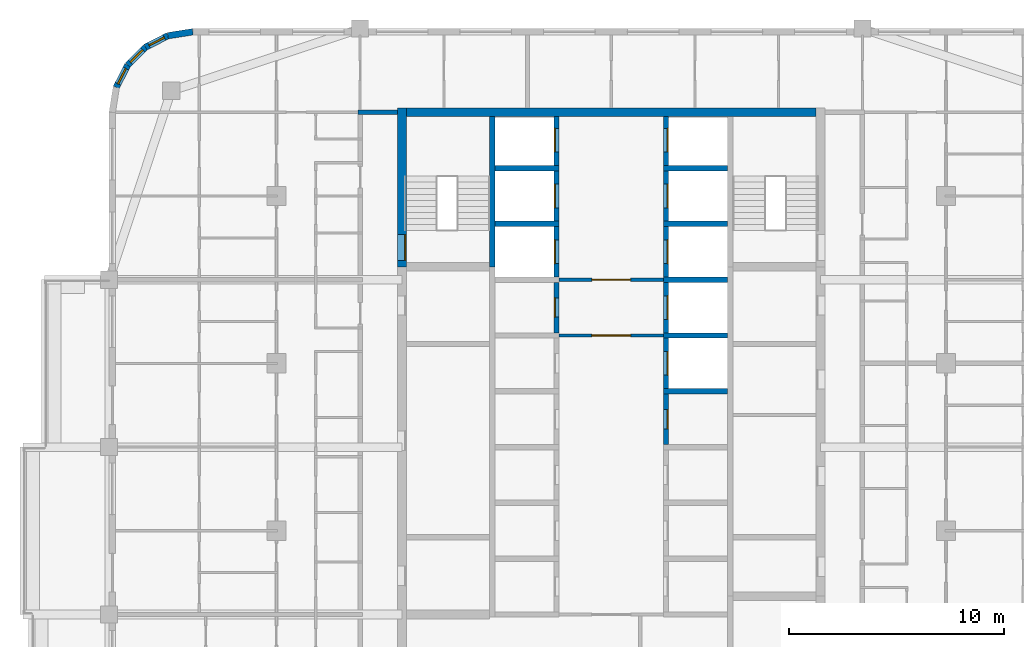
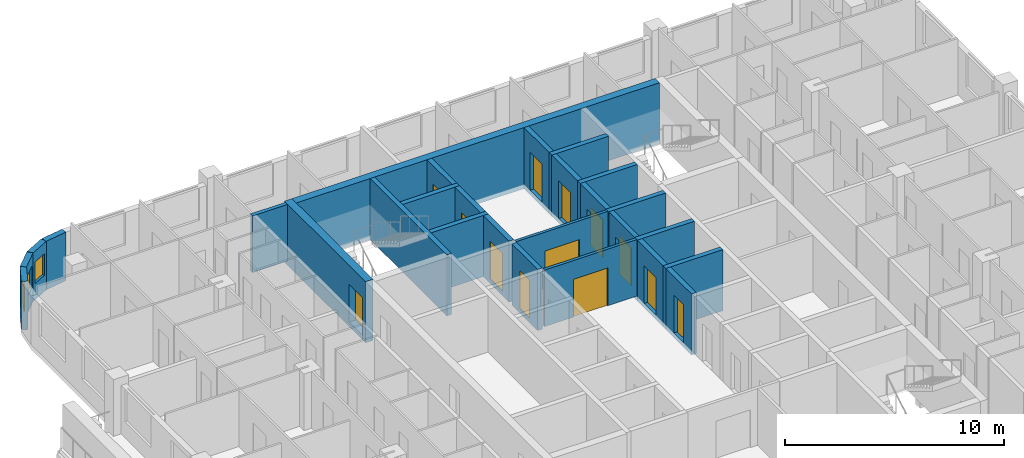
# One storey, part 9 of 16: 27 walls, 13 doors, 3 windows, 16 openings.
"""IFC4 building model written with IfcOpenShell, lengths in metres."""

from ifc_helpers import new_model, si_unit, direction, frame, frame_2d, origin, place, context, subcontext, project, spatial, rectangle, extrude, material, layer, layer_set, type_object, element, fill, save


model = new_model("IFC4")

# Units and contexts
model_context = context("Model", 3, precision=1e-05, world=origin(), true_north=direction((0.0, 1.0)))
body_context = subcontext(model_context, "Body", "Model", "MODEL_VIEW")
ifc_project = project(units=[si_unit("LENGTHUNIT", "METRE"), si_unit("AREAUNIT", "SQUARE_METRE"), si_unit("VOLUMEUNIT", "CUBIC_METRE"), si_unit("PLANEANGLEUNIT", "RADIAN"), si_unit("MASSUNIT", "GRAM", prefix="KILO")], contexts=[model_context])

# Site, building, storey
site_placement = place(None, origin())
site = spatial("IfcSite", under=ifc_project, at=site_placement, CompositionType="ELEMENT")
building_placement = place(site_placement, origin())
building = spatial("IfcBuilding", under=site, at=building_placement, Name="Ludao Terraces", CompositionType="ELEMENT")
storey_placement = place(building_placement, frame((0.0, 0.0, 204.10009765625)))
storey = spatial("IfcBuildingStorey", under=building, at=storey_placement, Name="L55", CompositionType="ELEMENT", Elevation=204.10009765625)

# Wall, opening, door
ifc_material_1 = material(Name="Concrete C50", Category="concrete")
ifc_layer_1 = layer(ifc_material_1, 0.39990234375)
ifc_layer_set_1 = layer_set([ifc_layer_1], Name="Core wall 400 C50")
wall_type_1 = type_object("IfcWallType", Name="Core wall 400 C50", PredefinedType="SOLIDWALL", material=ifc_layer_set_1)
wall_1_placement = place(storey_placement, frame((75.25, 77.300048828125, -0.25), z_axis=(0.0, 0.0, 1.0), x_axis=(0.0, 1.0, 0.0)))
wall_1 = element("IfcWall", 1, at=wall_1_placement, inside=storey, type_object=wall_type_1, Name="Core wall L55 outer-W-S1", PredefinedType="SOLIDWALL", context=body_context, shape_type="SweptSolid", body=[
    extrude(rectangle(XDim=7.39990234375, YDim=0.39990234375, at=frame_2d((3.699951171875, 0.0))), origin(), (0.0, 0.0, 1.0), 3.39990234375),
])
opening_1_placement = place(wall_1_placement, frame((0.300048828125, 0.0, 0.25)))
opening_1 = element("IfcOpeningElement", 2, at=opening_1_placement, cuts=wall_1, Name="Opening R20-109", PredefinedType="OPENING", context=body_context, shape_type="SweptSolid", body=[
    extrude(rectangle(XDim=1.199951171875, YDim=2.10009765625, at=frame_2d((0.60009765625, 1.050048828125))), frame((0.0, 0.2099609375, 0.0), z_axis=(0.0, -1.0, 0.0), x_axis=(1.0, 0.0, 0.0)), (0.0, 0.0, 1.0), 0.419921875),
])
ifc_material_2 = material(Name="Steel Q235", Category="steel")
door_type_1 = type_object("IfcDoorType", Name="INT Stair door 1200", OperationType="DOUBLE_DOOR_SINGLE_SWING", PredefinedType="DOOR", material=ifc_material_2)
door_1_placement = place(opening_1_placement, origin())
door_1 = element("IfcDoor", 3, at=door_1_placement, inside=storey, type_object=door_type_1, Name="DOOR 109", OperationType="DOUBLE_DOOR_SINGLE_SWING", OverallHeight=2.10009765625, OverallWidth=1.199951171875, PredefinedType="DOOR", context=body_context, shape_type="SweptSolid", body=[
    extrude(rectangle(XDim=1.199951171875, YDim=2.10009765625, at=frame_2d((0.60009765625, 1.050048828125))), frame((0.0, -0.134765625, 0.0), z_axis=(0.0, -1.0, 0.0), x_axis=(1.0, 0.0, 0.0)), (0.0, 0.0, 1.0), 0.050048828125),
])
fill(opening_1, door_1)

# Walls
wall_2_placement = place(storey_placement, frame((75.449951171875, 84.5, -0.25), z_axis=(0.0, 0.0, 1.0), x_axis=(1.0, 0.0, 0.0)))
element("IfcWall", 4, at=wall_2_placement, inside=storey, type_object=wall_type_1, Name="Core wall L55 outer-N", PredefinedType="SOLIDWALL", context=body_context, shape_type="SweptSolid", body=[
    extrude(rectangle(XDim=19.10009765625, YDim=0.39990234375, at=frame_2d((9.550048828125, 0.0))), origin(), (0.0, 0.0, 1.0), 3.39990234375),
])
ifc_material_3 = material(Name="Granite cladding", Category="masonry")
ifc_layer_2 = layer(ifc_material_3, 0.0400390625, Category="stone")
ifc_material_4 = material(Name="Mineral wool")
ifc_layer_3 = layer(ifc_material_4, 0.06005859375)
ifc_material_5 = material(Name="Concrete C40", Category="concrete")
ifc_layer_4 = layer(ifc_material_5, 0.199951171875, Category="concrete")
ifc_layer_set_2 = layer_set([ifc_layer_2, ifc_layer_3, ifc_layer_4], Name="ENV Stone-clad wall 300")
wall_type_2 = type_object("IfcWallType", Name="ENV Stone-clad wall 300", PredefinedType="SOLIDWALL", material=ifc_layer_set_2)
wall_3_placement = place(storey_placement, frame((65.5, 88.25, 0.0), z_axis=(0.0, 0.0, 1.0), x_axis=(-0.987678452879, -0.156496880861, 0.0)))
element("IfcWall", 5, at=wall_3_placement, inside=storey, type_object=wall_type_2, Name="EW-L55-NW1", PredefinedType="SOLIDWALL", context=body_context, shape_type="SweptSolid", body=[
    extrude(rectangle(XDim=1.173095703125, YDim=0.300048828125, at=frame_2d((0.58642578125, 0.0))), origin(), (0.0, 0.0, 1.0), 2.699951171875),
])

# Wall, opening, window
wall_4_placement = place(storey_placement, frame((64.34130859375, 88.06640625, 0.0), z_axis=(0.0, 0.0, 1.0), x_axis=(-0.890988677504, -0.454025524128, 0.0)))
wall_4 = element("IfcWall", 6, at=wall_4_placement, inside=storey, type_object=wall_type_2, Name="EW-L55-NW2", PredefinedType="SOLIDWALL", context=body_context, shape_type="SweptSolid", body=[
    extrude(rectangle(XDim=1.17333984375, YDim=0.300048828125, at=frame_2d((0.586669921875, 0.0))), origin(), (0.0, 0.0, 1.0), 2.699951171875),
])
opening_2_placement = place(wall_4_placement, frame((0.1865234375, 0.0, 0.89990234375)))
opening_2 = element("IfcOpeningElement", 7, at=opening_2_placement, cuts=wall_4, Name="Opening W3", PredefinedType="OPENING", context=body_context, shape_type="SweptSolid", body=[
    extrude(rectangle(XDim=0.800048828125, YDim=1.199951171875, at=frame_2d((0.39990234375, 0.60009765625))), frame((0.0, 0.16015625, 0.0), z_axis=(0.0, -1.0, 0.0), x_axis=(1.0, 0.0, 0.0)), (0.0, 0.0, 1.0), 0.320068359375),
])
ifc_material_6 = material(Name="Clear glass in aluminium frame", Category="aluminium")
ifc_layer_5 = layer(ifc_material_6, 0.06005859375)
ifc_layer_set_3 = layer_set([ifc_layer_5], Name="ENV Window W3 800x1200")
window_type = type_object("IfcWindowType", Name="ENV Window W3 800x1200", PartitioningType="SINGLE_PANEL", PredefinedType="WINDOW", material=ifc_layer_set_3)
window_1_placement = place(opening_2_placement, origin())
window_1 = element("IfcWindow", 8, at=window_1_placement, inside=storey, type_object=window_type, Name="W-L55-NW2", OverallHeight=1.199951171875, OverallWidth=0.800048828125, PartitioningType="SINGLE_PANEL", PredefinedType="WINDOW", context=body_context, shape_type="SweptSolid", body=[
    extrude(rectangle(XDim=0.800048828125, YDim=1.199951171875, at=frame_2d((0.39990234375, 0.60009765625))), frame((0.0, 0.030029296875, 0.0), z_axis=(0.0, -1.0, 0.0), x_axis=(1.0, 0.0, 0.0)), (0.0, 0.0, 1.0), 0.06005859375),
])
fill(opening_2, window_1)

wall_5_placement = place(storey_placement, frame((63.2958984375, 87.53369140625, 0.0), z_axis=(0.0, 0.0, 1.0), x_axis=(-0.707106781187, -0.707106781187, 0.0)))
wall_5 = element("IfcWall", 9, at=wall_5_placement, inside=storey, type_object=wall_type_2, Name="EW-L55-NW3", PredefinedType="SOLIDWALL", context=body_context, shape_type="SweptSolid", body=[
    extrude(rectangle(XDim=1.173095703125, YDim=0.300048828125, at=frame_2d((0.58642578125, 0.0))), origin(), (0.0, 0.0, 1.0), 2.699951171875),
])
opening_3_placement = place(wall_5_placement, frame((0.1865234375, 0.0, 0.89990234375)))
opening_3 = element("IfcOpeningElement", 10, at=opening_3_placement, cuts=wall_5, Name="Opening W3", PredefinedType="OPENING", context=body_context, shape_type="SweptSolid", body=[
    extrude(rectangle(XDim=0.800048828125, YDim=1.199951171875, at=frame_2d((0.39990234375, 0.60009765625))), frame((0.0, 0.16015625, 0.0), z_axis=(0.0, -1.0, 0.0), x_axis=(1.0, 0.0, 0.0)), (0.0, 0.0, 1.0), 0.320068359375),
])
window_2_placement = place(opening_3_placement, origin())
window_2 = element("IfcWindow", 11, at=window_2_placement, inside=storey, type_object=window_type, Name="W-L55-NW3", OverallHeight=1.199951171875, OverallWidth=0.800048828125, PartitioningType="SINGLE_PANEL", PredefinedType="WINDOW", context=body_context, shape_type="SweptSolid", body=[
    extrude(rectangle(XDim=0.800048828125, YDim=1.199951171875, at=frame_2d((0.39990234375, 0.60009765625))), frame((0.0, 0.030029296875, 0.0), z_axis=(0.0, -1.0, 0.0), x_axis=(1.0, 0.0, 0.0)), (0.0, 0.0, 1.0), 0.06005859375),
])
fill(opening_3, window_2)

wall_6_placement = place(storey_placement, frame((62.46630859375, 86.7041015625, 0.0), z_axis=(0.0, 0.0, 1.0), x_axis=(-0.454025524128, -0.890988677504, 0.0)))
wall_6 = element("IfcWall", 12, at=wall_6_placement, inside=storey, type_object=wall_type_2, Name="EW-L55-NW4", PredefinedType="SOLIDWALL", context=body_context, shape_type="SweptSolid", body=[
    extrude(rectangle(XDim=1.17333984375, YDim=0.300048828125, at=frame_2d((0.586669921875, 0.0))), origin(), (0.0, 0.0, 1.0), 2.699951171875),
])
opening_4_placement = place(wall_6_placement, frame((0.1865234375, 0.0, 0.89990234375)))
opening_4 = element("IfcOpeningElement", 13, at=opening_4_placement, cuts=wall_6, Name="Opening W3", PredefinedType="OPENING", context=body_context, shape_type="SweptSolid", body=[
    extrude(rectangle(XDim=0.800048828125, YDim=1.199951171875, at=frame_2d((0.39990234375, 0.60009765625))), frame((0.0, 0.16015625, 0.0), z_axis=(0.0, -1.0, 0.0), x_axis=(1.0, 0.0, 0.0)), (0.0, 0.0, 1.0), 0.320068359375),
])
window_3_placement = place(opening_4_placement, origin())
window_3 = element("IfcWindow", 14, at=window_3_placement, inside=storey, type_object=window_type, Name="W-L55-NW4", OverallHeight=1.199951171875, OverallWidth=0.800048828125, PartitioningType="SINGLE_PANEL", PredefinedType="WINDOW", context=body_context, shape_type="SweptSolid", body=[
    extrude(rectangle(XDim=0.800048828125, YDim=1.199951171875, at=frame_2d((0.39990234375, 0.60009765625))), frame((0.0, 0.030029296875, 0.0), z_axis=(0.0, -1.0, 0.0), x_axis=(1.0, 0.0, 0.0)), (0.0, 0.0, 1.0), 0.06005859375),
])
fill(opening_4, window_3)

# Wall, opening, door
ifc_material_7 = material(Name="Fire-rated gypsum plasterboard", Category="gypsum")
ifc_layer_6 = layer(ifc_material_7, 0.012451171875, Category="gypsum")
ifc_layer_7 = layer(ifc_material_4, 0.10009765625, Name="insulation")
ifc_layer_8 = layer(ifc_material_2, 0.02490234375, Name="stud")
ifc_layer_9 = layer(ifc_material_7, 0.012451171875, Category="gypsum")
ifc_layer_set_4 = layer_set([ifc_layer_6, ifc_layer_7, ifc_layer_8, ifc_layer_9], Name="INT Core partition 150")
wall_type_3 = type_object("IfcWallType", Name="INT Core partition 150", PredefinedType="PARTITIONING", material=ifc_layer_set_4)
wall_7_placement = place(storey_placement, frame((82.5751953125, 74.10009765625, 0.0), z_axis=(0.0, 0.0, 1.0), x_axis=(1.0, 0.0, 0.0)))
wall_7 = element("IfcWall", 15, at=wall_7_placement, inside=storey, type_object=wall_type_3, Name="PW-L55-PW047", PredefinedType="PARTITIONING", context=body_context, shape_type="SweptSolid", body=[
    extrude(rectangle(XDim=4.849853515625, YDim=0.14990234375, at=frame_2d((2.4248046875, 0.0))), origin(), (0.0, 0.0, 1.0), 3.14990234375),
])
opening_5_placement = place(wall_7_placement, frame((1.52490234375, 0.0, 0.0)))
opening_5 = element("IfcOpeningElement", 16, at=opening_5_placement, cuts=wall_7, Name="Opening R20-091", PredefinedType="OPENING", context=body_context, shape_type="SweptSolid", body=[
    extrude(rectangle(XDim=1.800048828125, YDim=2.10009765625, at=frame_2d((0.89990234375, 1.050048828125))), frame((0.0, 0.0849609375, 0.0), z_axis=(0.0, -1.0, 0.0), x_axis=(1.0, 0.0, 0.0)), (0.0, 0.0, 1.0), 0.169921875),
])
door_type_2 = type_object("IfcDoorType", Name="INT Fire lobby door 1800", OperationType="DOUBLE_DOOR_SINGLE_SWING", PredefinedType="DOOR", material=ifc_material_2)
door_2_placement = place(opening_5_placement, origin())
door_2 = element("IfcDoor", 17, at=door_2_placement, inside=storey, type_object=door_type_2, Name="DOOR 091", OperationType="DOUBLE_DOOR_SINGLE_SWING", OverallHeight=2.10009765625, OverallWidth=1.800048828125, PredefinedType="DOOR", context=body_context, shape_type="SweptSolid", body=[
    extrude(rectangle(XDim=1.800048828125, YDim=2.10009765625, at=frame_2d((0.89990234375, 1.050048828125))), frame((0.0, 0.02490234375, 0.0), z_axis=(0.0, -1.0, 0.0), x_axis=(1.0, 0.0, 0.0)), (0.0, 0.0, 1.0), 0.050048828125),
])
fill(opening_5, door_2)

wall_8_placement = place(storey_placement, frame((82.5751953125, 76.699951171875, 0.0), z_axis=(0.0, 0.0, 1.0), x_axis=(1.0, 0.0, 0.0)))
wall_8 = element("IfcWall", 18, at=wall_8_placement, inside=storey, type_object=wall_type_3, Name="PW-L55-PW053", PredefinedType="PARTITIONING", context=body_context, shape_type="SweptSolid", body=[
    extrude(rectangle(XDim=4.849853515625, YDim=0.14990234375, at=frame_2d((2.4248046875, 0.0))), origin(), (0.0, 0.0, 1.0), 3.14990234375),
])
opening_6_placement = place(wall_8_placement, frame((1.52490234375, 0.0, 0.0)))
opening_6 = element("IfcOpeningElement", 19, at=opening_6_placement, cuts=wall_8, Name="Opening R20-104", PredefinedType="OPENING", context=body_context, shape_type="SweptSolid", body=[
    extrude(rectangle(XDim=1.800048828125, YDim=2.10009765625, at=frame_2d((0.89990234375, 1.050048828125))), frame((0.0, 0.0849609375, 0.0), z_axis=(0.0, -1.0, 0.0), x_axis=(1.0, 0.0, 0.0)), (0.0, 0.0, 1.0), 0.169921875),
])
door_3_placement = place(opening_6_placement, origin())
door_3 = element("IfcDoor", 20, at=door_3_placement, inside=storey, type_object=door_type_2, Name="DOOR 104", OperationType="DOUBLE_DOOR_SINGLE_SWING", OverallHeight=2.10009765625, OverallWidth=1.800048828125, PredefinedType="DOOR", context=body_context, shape_type="SweptSolid", body=[
    extrude(rectangle(XDim=1.800048828125, YDim=2.10009765625, at=frame_2d((0.89990234375, 1.050048828125))), frame((0.0, 0.02490234375, 0.0), z_axis=(0.0, -1.0, 0.0), x_axis=(1.0, 0.0, 0.0)), (0.0, 0.0, 1.0), 0.050048828125),
])
fill(opening_6, door_3)

# Walls
ifc_material_8 = material(Name="Autoclaved aerated concrete block B06 A3.5", Category="concrete")
ifc_layer_10 = layer(ifc_material_8, 0.199951171875)
ifc_layer_set_5 = layer_set([ifc_layer_10], Name="INT Entrance wall 200")
wall_type_4 = type_object("IfcWallType", Name="INT Entrance wall 200", PredefinedType="PARTITIONING", material=ifc_layer_set_5)
wall_9_placement = place(storey_placement, frame((73.2001953125, 84.5, 0.0), z_axis=(0.0, 0.0, 1.0), x_axis=(1.0, 0.0, 0.0)))
element("IfcWall", 21, at=wall_9_placement, inside=storey, type_object=wall_type_4, Name="PW-L55-PW067", PredefinedType="PARTITIONING", context=body_context, shape_type="SweptSolid", body=[
    extrude(rectangle(XDim=1.849853515625, YDim=0.199951171875, at=frame_2d((0.9248046875, 0.0))), origin(), (0.0, 0.0, 1.0), 3.14990234375),
])
ifc_layer_11 = layer(ifc_material_1, 0.25)
ifc_layer_set_6 = layer_set([ifc_layer_11], Name="Shaft wall 250 C50")
wall_type_5 = type_object("IfcWallType", Name="Shaft wall 250 C50", PredefinedType="SOLIDWALL", material=ifc_layer_set_6)
wall_10_placement = place(storey_placement, frame((79.449951171875, 77.300048828125, -0.25), z_axis=(0.0, 0.0, 1.0), x_axis=(0.0, 1.0, 0.0)))
element("IfcWall", 22, at=wall_10_placement, inside=storey, type_object=wall_type_5, Name="Core wall L55 back-W-S1", PredefinedType="SOLIDWALL", context=body_context, shape_type="SweptSolid", body=[
    extrude(rectangle(XDim=7.0, YDim=0.25, at=frame_2d((3.5, 0.0))), origin(), (0.0, 0.0, 1.0), 3.39990234375),
])

# Wall, opening, door
wall_11_placement = place(storey_placement, frame((82.449951171875, 74.22509765625, -0.25), z_axis=(0.0, 0.0, 1.0), x_axis=(0.0, 1.0, 0.0)))
wall_11 = element("IfcWall", 23, at=wall_11_placement, inside=storey, type_object=wall_type_5, Name="Core wall L55 front-W6", PredefinedType="SOLIDWALL", context=body_context, shape_type="SweptSolid", body=[
    extrude(rectangle(XDim=2.349853515625, YDim=0.25, at=frame_2d((1.1748046875, 0.0))), origin(), (0.0, 0.0, 1.0), 3.39990234375),
])
opening_7_placement = place(wall_11_placement, frame((0.72509765625, 0.0, 0.25)))
opening_7 = element("IfcOpeningElement", 24, at=opening_7_placement, cuts=wall_11, Name="Opening R20-094", PredefinedType="OPENING", context=body_context, shape_type="SweptSolid", body=[
    extrude(rectangle(XDim=0.89990234375, YDim=2.10009765625, at=frame_2d((0.449951171875, 1.050048828125))), frame((0.0, 0.135009765625, 0.0), z_axis=(0.0, -1.0, 0.0), x_axis=(1.0, 0.0, 0.0)), (0.0, 0.0, 1.0), 0.27001953125),
])
ifc_material_9 = material(Name="Timber door leaf", Category="wood")
door_type_3 = type_object("IfcDoorType", Name="INT Room door 900", OperationType="SINGLE_SWING_LEFT", PredefinedType="DOOR", material=ifc_material_9)
door_4_placement = place(opening_7_placement, origin())
door_4 = element("IfcDoor", 25, at=door_4_placement, inside=storey, type_object=door_type_3, Name="DOOR 094", OperationType="SINGLE_SWING_LEFT", OverallHeight=2.10009765625, OverallWidth=0.89990234375, PredefinedType="DOOR", context=body_context, shape_type="SweptSolid", body=[
    extrude(rectangle(XDim=0.89990234375, YDim=2.10009765625, at=frame_2d((0.449951171875, 1.050048828125))), frame((0.0, 0.10986328125, 0.0), z_axis=(0.0, -1.0, 0.0), x_axis=(1.0, 0.0, 0.0)), (0.0, 0.0, 1.0), 0.050048828125),
])
fill(opening_7, door_4)

wall_12_placement = place(storey_placement, frame((82.449951171875, 76.824951171875, -0.25), z_axis=(0.0, 0.0, 1.0), x_axis=(0.0, 1.0, 0.0)))
wall_12 = element("IfcWall", 26, at=wall_12_placement, inside=storey, type_object=wall_type_5, Name="Core wall L55 front-W7", PredefinedType="SOLIDWALL", context=body_context, shape_type="SweptSolid", body=[
    extrude(rectangle(XDim=2.35009765625, YDim=0.25, at=frame_2d((1.175048828125, 0.0))), origin(), (0.0, 0.0, 1.0), 3.39990234375),
])
opening_8_placement = place(wall_12_placement, frame((0.625, 0.0, 0.25)))
opening_8 = element("IfcOpeningElement", 27, at=opening_8_placement, cuts=wall_12, Name="Opening LD-FF1", PredefinedType="OPENING", context=body_context, shape_type="SweptSolid", body=[
    extrude(rectangle(XDim=1.10009765625, YDim=2.10009765625, at=frame_2d((0.550048828125, 1.050048828125))), frame((0.0, 0.135009765625, 0.0), z_axis=(0.0, -1.0, 0.0), x_axis=(1.0, 0.0, 0.0)), (0.0, 0.0, 1.0), 0.27001953125),
])
ifc_material_10 = material(Name="Stainless steel 304", Category="steel")
door_type_4 = type_object("IfcDoorType", Name="INT Lift landing door 1100", OperationType="SLIDING_TO_LEFT", PredefinedType="DOOR", material=ifc_material_10)
door_5_placement = place(opening_8_placement, origin())
door_5 = element("IfcDoor", 28, at=door_5_placement, inside=storey, type_object=door_type_4, Name="LANDING DOOR FF1 L55", OperationType="SLIDING_TO_LEFT", OverallHeight=2.10009765625, OverallWidth=1.10009765625, PredefinedType="DOOR", context=body_context, shape_type="SweptSolid", body=[
    extrude(rectangle(XDim=1.10009765625, YDim=2.10009765625, at=frame_2d((0.550048828125, 1.050048828125))), frame((0.0, 0.10986328125, 0.0), z_axis=(0.0, -1.0, 0.0), x_axis=(1.0, 0.0, 0.0)), (0.0, 0.0, 1.0), 0.050048828125),
])
fill(opening_8, door_5)

# Wall
wall_13_placement = place(storey_placement, frame((79.574951171875, 79.300048828125, -0.25), z_axis=(0.0, 0.0, 1.0), x_axis=(1.0, 0.0, 0.0)))
element("IfcWall", 29, at=wall_13_placement, inside=storey, type_object=wall_type_5, Name="Core wall L55 div-W8", PredefinedType="SOLIDWALL", context=body_context, shape_type="SweptSolid", body=[
    extrude(rectangle(XDim=3.0, YDim=0.25, at=frame_2d((1.5, 0.0))), origin(), (0.0, 0.0, 1.0), 3.39990234375),
])

# Wall, opening, door
wall_14_placement = place(storey_placement, frame((82.449951171875, 79.425048828125, -0.25), z_axis=(0.0, 0.0, 1.0), x_axis=(0.0, 1.0, 0.0)))
wall_14 = element("IfcWall", 30, at=wall_14_placement, inside=storey, type_object=wall_type_5, Name="Core wall L55 front-W8", PredefinedType="SOLIDWALL", context=body_context, shape_type="SweptSolid", body=[
    extrude(rectangle(XDim=2.349853515625, YDim=0.25, at=frame_2d((1.1748046875, 0.0))), origin(), (0.0, 0.0, 1.0), 3.39990234375),
])
opening_9_placement = place(wall_14_placement, frame((0.625, 0.0, 0.25)))
opening_9 = element("IfcOpeningElement", 31, at=opening_9_placement, cuts=wall_14, Name="Opening LD-FF2", PredefinedType="OPENING", context=body_context, shape_type="SweptSolid", body=[
    extrude(rectangle(XDim=1.10009765625, YDim=2.10009765625, at=frame_2d((0.550048828125, 1.050048828125))), frame((0.0, 0.135009765625, 0.0), z_axis=(0.0, -1.0, 0.0), x_axis=(1.0, 0.0, 0.0)), (0.0, 0.0, 1.0), 0.27001953125),
])
door_6_placement = place(opening_9_placement, origin())
door_6 = element("IfcDoor", 32, at=door_6_placement, inside=storey, type_object=door_type_4, Name="LANDING DOOR FF2 L55", OperationType="SLIDING_TO_LEFT", OverallHeight=2.10009765625, OverallWidth=1.10009765625, PredefinedType="DOOR", context=body_context, shape_type="SweptSolid", body=[
    extrude(rectangle(XDim=1.10009765625, YDim=2.10009765625, at=frame_2d((0.550048828125, 1.050048828125))), frame((0.0, 0.10986328125, 0.0), z_axis=(0.0, -1.0, 0.0), x_axis=(1.0, 0.0, 0.0)), (0.0, 0.0, 1.0), 0.050048828125),
])
fill(opening_9, door_6)

# Wall
wall_15_placement = place(storey_placement, frame((79.574951171875, 81.89990234375, -0.25), z_axis=(0.0, 0.0, 1.0), x_axis=(1.0, 0.0, 0.0)))
element("IfcWall", 33, at=wall_15_placement, inside=storey, type_object=wall_type_5, Name="Core wall L55 div-W9", PredefinedType="SOLIDWALL", context=body_context, shape_type="SweptSolid", body=[
    extrude(rectangle(XDim=3.0, YDim=0.25, at=frame_2d((1.5, 0.0))), origin(), (0.0, 0.0, 1.0), 3.39990234375),
])

# Wall, opening, door
wall_16_placement = place(storey_placement, frame((82.449951171875, 82.02490234375, -0.25), z_axis=(0.0, 0.0, 1.0), x_axis=(0.0, 1.0, 0.0)))
wall_16 = element("IfcWall", 34, at=wall_16_placement, inside=storey, type_object=wall_type_5, Name="Core wall L55 front-W9", PredefinedType="SOLIDWALL", context=body_context, shape_type="SweptSolid", body=[
    extrude(rectangle(XDim=2.275146484375, YDim=0.25, at=frame_2d((1.1376953125, 0.0))), origin(), (0.0, 0.0, 1.0), 3.39990234375),
])
opening_10_placement = place(wall_16_placement, frame((0.625, 0.0, 0.25)))
opening_10 = element("IfcOpeningElement", 35, at=opening_10_placement, cuts=wall_16, Name="Opening LD-LB6", PredefinedType="OPENING", context=body_context, shape_type="SweptSolid", body=[
    extrude(rectangle(XDim=1.10009765625, YDim=2.10009765625, at=frame_2d((0.550048828125, 1.050048828125))), frame((0.0, 0.135009765625, 0.0), z_axis=(0.0, -1.0, 0.0), x_axis=(1.0, 0.0, 0.0)), (0.0, 0.0, 1.0), 0.27001953125),
])
door_7_placement = place(opening_10_placement, origin())
door_7 = element("IfcDoor", 36, at=door_7_placement, inside=storey, type_object=door_type_4, Name="LANDING DOOR LB6 L55", OperationType="SLIDING_TO_RIGHT", OverallHeight=2.10009765625, OverallWidth=1.10009765625, PredefinedType="DOOR", context=body_context, shape_type="SweptSolid", body=[
    extrude(rectangle(XDim=1.10009765625, YDim=2.10009765625, at=frame_2d((0.550048828125, 1.050048828125))), frame((0.0, 0.10986328125, 0.0), z_axis=(0.0, -1.0, 0.0), x_axis=(1.0, 0.0, 0.0)), (0.0, 0.0, 1.0), 0.050048828125),
])
fill(opening_10, door_7)

wall_17_placement = place(storey_placement, frame((87.550048828125, 69.02490234375, -0.25), z_axis=(0.0, 0.0, 1.0), x_axis=(0.0, 1.0, 0.0)))
wall_17 = element("IfcWall", 37, at=wall_17_placement, inside=storey, type_object=wall_type_5, Name="Core wall L55 front-E4", PredefinedType="SOLIDWALL", context=body_context, shape_type="SweptSolid", body=[
    extrude(rectangle(XDim=2.35009765625, YDim=0.25, at=frame_2d((1.175048828125, 0.0))), origin(), (0.0, 0.0, 1.0), 3.39990234375),
])
opening_11_placement = place(wall_17_placement, frame((0.72509765625, 0.0, 0.25)))
opening_11 = element("IfcOpeningElement", 38, at=opening_11_placement, cuts=wall_17, Name="Opening R20-079", PredefinedType="OPENING", context=body_context, shape_type="SweptSolid", body=[
    extrude(rectangle(XDim=0.89990234375, YDim=2.10009765625, at=frame_2d((0.449951171875, 1.050048828125))), frame((0.0, 0.135009765625, 0.0), z_axis=(0.0, -1.0, 0.0), x_axis=(1.0, 0.0, 0.0)), (0.0, 0.0, 1.0), 0.27001953125),
])
door_8_placement = place(opening_11_placement, origin())
door_8 = element("IfcDoor", 39, at=door_8_placement, inside=storey, type_object=door_type_3, Name="DOOR 079", OperationType="SINGLE_SWING_LEFT", OverallHeight=2.10009765625, OverallWidth=0.89990234375, PredefinedType="DOOR", context=body_context, shape_type="SweptSolid", body=[
    extrude(rectangle(XDim=0.89990234375, YDim=2.10009765625, at=frame_2d((0.449951171875, 1.050048828125))), frame((0.0, -0.06005859375, 0.0), z_axis=(0.0, -1.0, 0.0), x_axis=(1.0, 0.0, 0.0)), (0.0, 0.0, 1.0), 0.050048828125),
])
fill(opening_11, door_8)

# Wall
wall_18_placement = place(storey_placement, frame((87.425048828125, 71.5, -0.25), z_axis=(0.0, 0.0, 1.0), x_axis=(1.0, 0.0, 0.0)))
element("IfcWall", 40, at=wall_18_placement, inside=storey, type_object=wall_type_5, Name="Core wall L55 div-E5", PredefinedType="SOLIDWALL", context=body_context, shape_type="SweptSolid", body=[
    extrude(rectangle(XDim=3.0, YDim=0.25, at=frame_2d((1.5, 0.0))), origin(), (0.0, 0.0, 1.0), 3.39990234375),
])

# Wall, opening, door
wall_19_placement = place(storey_placement, frame((87.550048828125, 71.625, -0.25), z_axis=(0.0, 0.0, 1.0), x_axis=(0.0, 1.0, 0.0)))
wall_19 = element("IfcWall", 41, at=wall_19_placement, inside=storey, type_object=wall_type_5, Name="Core wall L55 front-E5", PredefinedType="SOLIDWALL", context=body_context, shape_type="SweptSolid", body=[
    extrude(rectangle(XDim=2.35009765625, YDim=0.25, at=frame_2d((1.175048828125, 0.0))), origin(), (0.0, 0.0, 1.0), 3.39990234375),
])
opening_12_placement = place(wall_19_placement, frame((0.625, 0.0, 0.25)))
opening_12 = element("IfcOpeningElement", 42, at=opening_12_placement, cuts=wall_19, Name="Opening LD-LB1", PredefinedType="OPENING", context=body_context, shape_type="SweptSolid", body=[
    extrude(rectangle(XDim=1.10009765625, YDim=2.10009765625, at=frame_2d((0.550048828125, 1.050048828125))), frame((0.0, 0.135009765625, 0.0), z_axis=(0.0, -1.0, 0.0), x_axis=(1.0, 0.0, 0.0)), (0.0, 0.0, 1.0), 0.27001953125),
])
door_9_placement = place(opening_12_placement, origin())
door_9 = element("IfcDoor", 43, at=door_9_placement, inside=storey, type_object=door_type_4, Name="LANDING DOOR LB1 L55", OperationType="SLIDING_TO_LEFT", OverallHeight=2.10009765625, OverallWidth=1.10009765625, PredefinedType="DOOR", context=body_context, shape_type="SweptSolid", body=[
    extrude(rectangle(XDim=1.10009765625, YDim=2.10009765625, at=frame_2d((0.550048828125, 1.050048828125))), frame((0.0, -0.06005859375, 0.0), z_axis=(0.0, -1.0, 0.0), x_axis=(1.0, 0.0, 0.0)), (0.0, 0.0, 1.0), 0.050048828125),
])
fill(opening_12, door_9)

# Wall
wall_20_placement = place(storey_placement, frame((87.425048828125, 74.10009765625, -0.25), z_axis=(0.0, 0.0, 1.0), x_axis=(1.0, 0.0, 0.0)))
element("IfcWall", 44, at=wall_20_placement, inside=storey, type_object=wall_type_5, Name="Core wall L55 div-E6", PredefinedType="SOLIDWALL", context=body_context, shape_type="SweptSolid", body=[
    extrude(rectangle(XDim=3.0, YDim=0.25, at=frame_2d((1.5, 0.0))), origin(), (0.0, 0.0, 1.0), 3.39990234375),
])

# Wall, opening, door
wall_21_placement = place(storey_placement, frame((87.550048828125, 74.22509765625, -0.25), z_axis=(0.0, 0.0, 1.0), x_axis=(0.0, 1.0, 0.0)))
wall_21 = element("IfcWall", 45, at=wall_21_placement, inside=storey, type_object=wall_type_5, Name="Core wall L55 front-E6", PredefinedType="SOLIDWALL", context=body_context, shape_type="SweptSolid", body=[
    extrude(rectangle(XDim=2.349853515625, YDim=0.25, at=frame_2d((1.1748046875, 0.0))), origin(), (0.0, 0.0, 1.0), 3.39990234375),
])
opening_13_placement = place(wall_21_placement, frame((0.625, 0.0, 0.25)))
opening_13 = element("IfcOpeningElement", 46, at=opening_13_placement, cuts=wall_21, Name="Opening LD-LB2", PredefinedType="OPENING", context=body_context, shape_type="SweptSolid", body=[
    extrude(rectangle(XDim=1.10009765625, YDim=2.10009765625, at=frame_2d((0.550048828125, 1.050048828125))), frame((0.0, 0.135009765625, 0.0), z_axis=(0.0, -1.0, 0.0), x_axis=(1.0, 0.0, 0.0)), (0.0, 0.0, 1.0), 0.27001953125),
])
door_10_placement = place(opening_13_placement, origin())
door_10 = element("IfcDoor", 47, at=door_10_placement, inside=storey, type_object=door_type_4, Name="LANDING DOOR LB2 L55", OperationType="SLIDING_TO_LEFT", OverallHeight=2.10009765625, OverallWidth=1.10009765625, PredefinedType="DOOR", context=body_context, shape_type="SweptSolid", body=[
    extrude(rectangle(XDim=1.10009765625, YDim=2.10009765625, at=frame_2d((0.550048828125, 1.050048828125))), frame((0.0, -0.06005859375, 0.0), z_axis=(0.0, -1.0, 0.0), x_axis=(1.0, 0.0, 0.0)), (0.0, 0.0, 1.0), 0.050048828125),
])
fill(opening_13, door_10)

# Wall
wall_22_placement = place(storey_placement, frame((87.425048828125, 76.699951171875, -0.25), z_axis=(0.0, 0.0, 1.0), x_axis=(1.0, 0.0, 0.0)))
element("IfcWall", 48, at=wall_22_placement, inside=storey, type_object=wall_type_5, Name="Core wall L55 div-E7", PredefinedType="SOLIDWALL", context=body_context, shape_type="SweptSolid", body=[
    extrude(rectangle(XDim=3.0, YDim=0.25, at=frame_2d((1.5, 0.0))), origin(), (0.0, 0.0, 1.0), 3.39990234375),
])

# Wall, opening, door
wall_23_placement = place(storey_placement, frame((87.550048828125, 76.824951171875, -0.25), z_axis=(0.0, 0.0, 1.0), x_axis=(0.0, 1.0, 0.0)))
wall_23 = element("IfcWall", 49, at=wall_23_placement, inside=storey, type_object=wall_type_5, Name="Core wall L55 front-E7", PredefinedType="SOLIDWALL", context=body_context, shape_type="SweptSolid", body=[
    extrude(rectangle(XDim=2.35009765625, YDim=0.25, at=frame_2d((1.175048828125, 0.0))), origin(), (0.0, 0.0, 1.0), 3.39990234375),
])
opening_14_placement = place(wall_23_placement, frame((0.625, 0.0, 0.25)))
opening_14 = element("IfcOpeningElement", 50, at=opening_14_placement, cuts=wall_23, Name="Opening LD-LB3", PredefinedType="OPENING", context=body_context, shape_type="SweptSolid", body=[
    extrude(rectangle(XDim=1.10009765625, YDim=2.10009765625, at=frame_2d((0.550048828125, 1.050048828125))), frame((0.0, 0.135009765625, 0.0), z_axis=(0.0, -1.0, 0.0), x_axis=(1.0, 0.0, 0.0)), (0.0, 0.0, 1.0), 0.27001953125),
])
door_11_placement = place(opening_14_placement, origin())
door_11 = element("IfcDoor", 51, at=door_11_placement, inside=storey, type_object=door_type_4, Name="LANDING DOOR LB3 L55", OperationType="SLIDING_TO_LEFT", OverallHeight=2.10009765625, OverallWidth=1.10009765625, PredefinedType="DOOR", context=body_context, shape_type="SweptSolid", body=[
    extrude(rectangle(XDim=1.10009765625, YDim=2.10009765625, at=frame_2d((0.550048828125, 1.050048828125))), frame((0.0, -0.06005859375, 0.0), z_axis=(0.0, -1.0, 0.0), x_axis=(1.0, 0.0, 0.0)), (0.0, 0.0, 1.0), 0.050048828125),
])
fill(opening_14, door_11)

# Wall
wall_24_placement = place(storey_placement, frame((87.425048828125, 79.300048828125, -0.25), z_axis=(0.0, 0.0, 1.0), x_axis=(1.0, 0.0, 0.0)))
element("IfcWall", 52, at=wall_24_placement, inside=storey, type_object=wall_type_5, Name="Core wall L55 div-E8", PredefinedType="SOLIDWALL", context=body_context, shape_type="SweptSolid", body=[
    extrude(rectangle(XDim=3.0, YDim=0.25, at=frame_2d((1.5, 0.0))), origin(), (0.0, 0.0, 1.0), 3.39990234375),
])

# Wall, opening, door
wall_25_placement = place(storey_placement, frame((87.550048828125, 79.425048828125, -0.25), z_axis=(0.0, 0.0, 1.0), x_axis=(0.0, 1.0, 0.0)))
wall_25 = element("IfcWall", 53, at=wall_25_placement, inside=storey, type_object=wall_type_5, Name="Core wall L55 front-E8", PredefinedType="SOLIDWALL", context=body_context, shape_type="SweptSolid", body=[
    extrude(rectangle(XDim=2.349853515625, YDim=0.25, at=frame_2d((1.1748046875, 0.0))), origin(), (0.0, 0.0, 1.0), 3.39990234375),
])
opening_15_placement = place(wall_25_placement, frame((0.625, 0.0, 0.25)))
opening_15 = element("IfcOpeningElement", 54, at=opening_15_placement, cuts=wall_25, Name="Opening LD-LB4", PredefinedType="OPENING", context=body_context, shape_type="SweptSolid", body=[
    extrude(rectangle(XDim=1.10009765625, YDim=2.10009765625, at=frame_2d((0.550048828125, 1.050048828125))), frame((0.0, 0.135009765625, 0.0), z_axis=(0.0, -1.0, 0.0), x_axis=(1.0, 0.0, 0.0)), (0.0, 0.0, 1.0), 0.27001953125),
])
door_12_placement = place(opening_15_placement, origin())
door_12 = element("IfcDoor", 55, at=door_12_placement, inside=storey, type_object=door_type_4, Name="LANDING DOOR LB4 L55", OperationType="SLIDING_TO_RIGHT", OverallHeight=2.10009765625, OverallWidth=1.10009765625, PredefinedType="DOOR", context=body_context, shape_type="SweptSolid", body=[
    extrude(rectangle(XDim=1.10009765625, YDim=2.10009765625, at=frame_2d((0.550048828125, 1.050048828125))), frame((0.0, -0.06005859375, 0.0), z_axis=(0.0, -1.0, 0.0), x_axis=(1.0, 0.0, 0.0)), (0.0, 0.0, 1.0), 0.050048828125),
])
fill(opening_15, door_12)

# Wall
wall_26_placement = place(storey_placement, frame((87.425048828125, 81.89990234375, -0.25), z_axis=(0.0, 0.0, 1.0), x_axis=(1.0, 0.0, 0.0)))
element("IfcWall", 56, at=wall_26_placement, inside=storey, type_object=wall_type_5, Name="Core wall L55 div-E9", PredefinedType="SOLIDWALL", context=body_context, shape_type="SweptSolid", body=[
    extrude(rectangle(XDim=3.0, YDim=0.25, at=frame_2d((1.5, 0.0))), origin(), (0.0, 0.0, 1.0), 3.39990234375),
])

# Wall, opening, door
wall_27_placement = place(storey_placement, frame((87.550048828125, 82.02490234375, -0.25), z_axis=(0.0, 0.0, 1.0), x_axis=(0.0, 1.0, 0.0)))
wall_27 = element("IfcWall", 57, at=wall_27_placement, inside=storey, type_object=wall_type_5, Name="Core wall L55 front-E9", PredefinedType="SOLIDWALL", context=body_context, shape_type="SweptSolid", body=[
    extrude(rectangle(XDim=2.275146484375, YDim=0.25, at=frame_2d((1.1376953125, 0.0))), origin(), (0.0, 0.0, 1.0), 3.39990234375),
])
opening_16_placement = place(wall_27_placement, frame((0.625, 0.0, 0.25)))
opening_16 = element("IfcOpeningElement", 58, at=opening_16_placement, cuts=wall_27, Name="Opening LD-LB5", PredefinedType="OPENING", context=body_context, shape_type="SweptSolid", body=[
    extrude(rectangle(XDim=1.10009765625, YDim=2.10009765625, at=frame_2d((0.550048828125, 1.050048828125))), frame((0.0, 0.135009765625, 0.0), z_axis=(0.0, -1.0, 0.0), x_axis=(1.0, 0.0, 0.0)), (0.0, 0.0, 1.0), 0.27001953125),
])
door_13_placement = place(opening_16_placement, origin())
door_13 = element("IfcDoor", 59, at=door_13_placement, inside=storey, type_object=door_type_4, Name="LANDING DOOR LB5 L55", OperationType="SLIDING_TO_RIGHT", OverallHeight=2.10009765625, OverallWidth=1.10009765625, PredefinedType="DOOR", context=body_context, shape_type="SweptSolid", body=[
    extrude(rectangle(XDim=1.10009765625, YDim=2.10009765625, at=frame_2d((0.550048828125, 1.050048828125))), frame((0.0, -0.06005859375, 0.0), z_axis=(0.0, -1.0, 0.0), x_axis=(1.0, 0.0, 0.0)), (0.0, 0.0, 1.0), 0.050048828125),
])
fill(opening_16, door_13)

save(model, "model.ifc")
